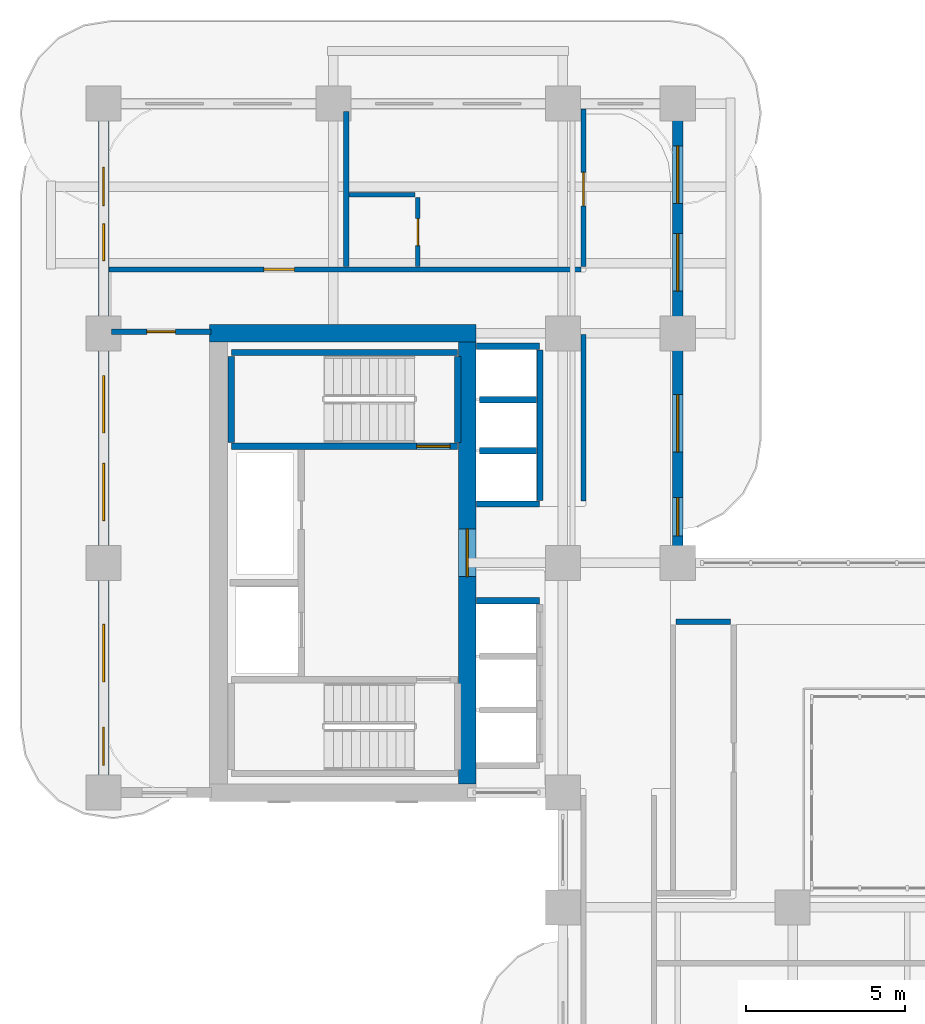
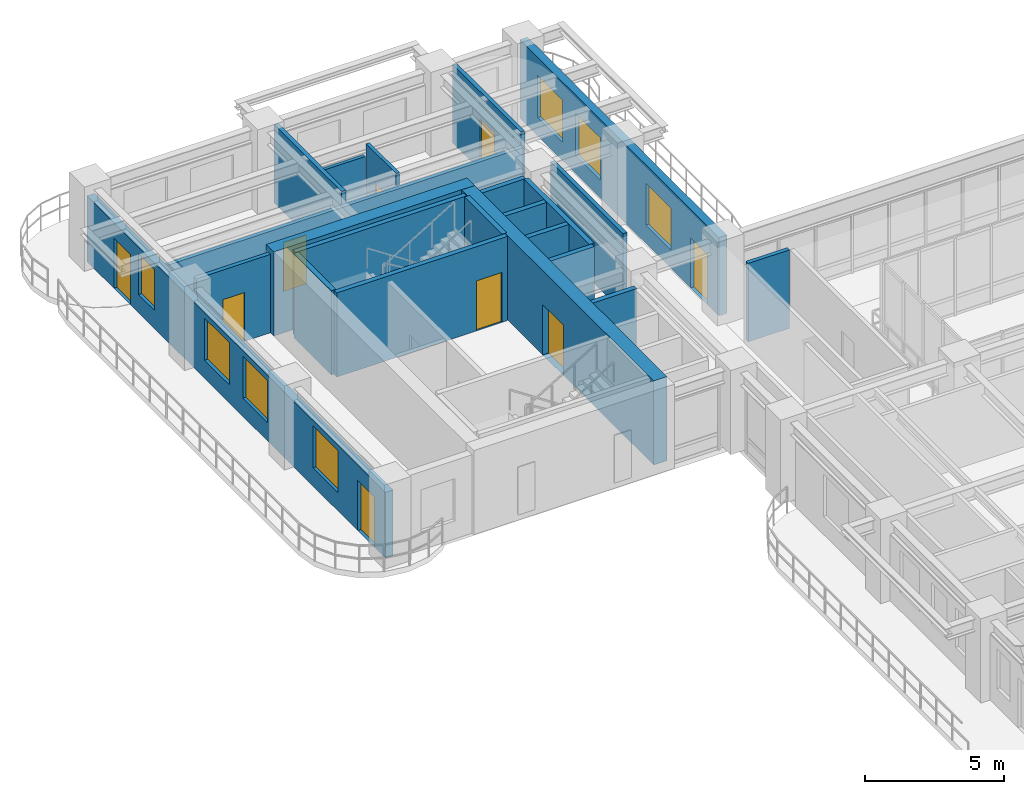
# One storey, part 16 of 22: 22 walls, 9 doors, 7 windows, 16 openings.
"""IFC4 building model written with IfcOpenShell, lengths in metres."""

from ifc_helpers import new_model, si_unit, derived_unit, direction, frame, frame_2d, origin, place, context, subcontext, project, spatial, rectangle, extrude, source, transform, mapped, material, layer, layer_set, type_object, type_shapes, element, fill, save


model = new_model("IFC4")

# Units and contexts
model_context = context("Model", 3, precision=1e-05, world=origin(), true_north=direction((0.0, 1.0)))
body_context = subcontext(model_context, "Body", "Model", "MODEL_VIEW")
ifc_project = project(units=[si_unit("LENGTHUNIT", "METRE"), si_unit("AREAUNIT", "SQUARE_METRE"), si_unit("VOLUMEUNIT", "CUBIC_METRE"), si_unit("PLANEANGLEUNIT", "RADIAN"), si_unit("MASSUNIT", "GRAM", prefix="KILO"), si_unit("THERMODYNAMICTEMPERATUREUNIT", "KELVIN"), si_unit("POWERUNIT", "WATT"), derived_unit("THERMALTRANSMITTANCEUNIT", [(si_unit("POWERUNIT", "WATT"), 1), (si_unit("AREAUNIT", "SQUARE_METRE"), -1), (si_unit("THERMODYNAMICTEMPERATUREUNIT", "KELVIN"), -1)])], contexts=[model_context])

# Site, building, storey
site_placement = place(None, origin())
site = spatial("IfcSite", under=ifc_project, at=site_placement, CompositionType="ELEMENT")
building_placement = place(site_placement, origin())
building = spatial("IfcBuilding", under=site, at=building_placement, Name="Zahravan Archway Hotel and Residences", CompositionType="ELEMENT")
storey_placement = place(building_placement, frame((0.0, 0.0, 76.800048828125)))
storey = spatial("IfcBuildingStorey", under=building, at=storey_placement, Name="L18", CompositionType="ELEMENT", Elevation=76.800048828125)

# Wall
ifc_material_1 = material(Name="Concrete C70/85", Category="concrete")
ifc_layer_1 = layer(ifc_material_1, 0.550048828125, Name="Concrete C70/85", Category="concrete")
ifc_layer_set_1 = layer_set([ifc_layer_1], Name="Concrete C70/85")
wall_type_1 = type_object("IfcWallType", Name="CW-CORE-550", PredefinedType="SHEAR", material=ifc_layer_set_1)
wall_1_placement = place(storey_placement, frame((3.324951171875, 39.60009765625, 0.0), z_axis=(0.0, 0.0, 1.0), x_axis=(1.0, 0.0, 0.0)))
element("IfcWall", 1, at=wall_1_placement, inside=storey, type_object=wall_type_1, Name="L18 Core B Shear N Wall 550 mm", PredefinedType="SHEAR", context=body_context, shape_type="SweptSolid", body=[
    extrude(rectangle(XDim=8.35009765625, YDim=0.550048828125, at=frame_2d((4.175048828125, 0.0))), origin(), (0.0, 0.0, 1.0), 3.699951171875),
])

# Wall, opening, door
wall_2_placement = place(storey_placement, frame((11.39990234375, 25.47509765625, 0.0), z_axis=(0.0, 0.0, 1.0), x_axis=(0.0, 1.0, 0.0)))
wall_2 = element("IfcWall", 2, at=wall_2_placement, inside=storey, type_object=wall_type_1, Name="L18 Core B Shear E Wall 550 mm", PredefinedType="SHEAR", context=body_context, shape_type="SweptSolid", body=[
    extrude(rectangle(XDim=13.849853515625, YDim=0.550048828125, at=frame_2d((6.9248046875, 0.0))), origin(), (0.0, 0.0, 1.0), 3.699951171875),
])
opening_1_placement = place(wall_2_placement, frame((6.4951171875, 0.0, 0.0)))
opening_1 = element("IfcOpeningElement", 3, at=opening_1_placement, cuts=wall_2, Name="Opening FD-L1", PredefinedType="OPENING", context=body_context, shape_type="SweptSolid", body=[
    extrude(rectangle(XDim=1.5, YDim=2.199951171875, at=frame_2d((0.75, 1.10009765625))), frame((0.0, 0.28515625, 0.0), z_axis=(0.0, -1.0, 0.0), x_axis=(1.0, 0.0, 0.0)), (0.0, 0.0, 1.0), 0.570068359375),
])
ifc_material_2 = material(Name="Fire-Rated Painted Steel", Category="steel")
door_type_1 = type_object("IfcDoorType", Name="FD-LOBBY-1500", OperationType="DOUBLE_DOOR_SINGLE_SWING", PredefinedType="DOOR", material=ifc_material_2)
shared_shape_1 = source(origin(), body_context, "Body", "SweptSolid", [
    extrude(rectangle(XDim=1.5, YDim=2.199951171875, at=frame_2d((0.75, 1.10009765625))), frame((0.0, 0.02490234375, 0.0), z_axis=(0.0, -1.0, 0.0), x_axis=(1.0, 0.0, 0.0)), (0.0, 0.0, 1.0), 0.050048828125),
])
type_shapes(door_type_1, [shared_shape_1])
door_1_placement = place(opening_1_placement, origin())
door_1 = element("IfcDoor", 4, at=door_1_placement, inside=storey, type_object=door_type_1, Name="L18 Core B FSAE Lobby Door", OperationType="DOUBLE_DOOR_SINGLE_SWING", OverallHeight=2.199951171875, OverallWidth=1.5, PredefinedType="DOOR", context=body_context, shape_type="MappedRepresentation", body=[
    mapped(shared_shape_1, transform((0.0, 0.0, 0.0), scale=1.0)),
])
fill(opening_1, door_1)

# Wall, openings, doors, windows
ifc_material_3 = material(Name="Agra Buff Sandstone & Insulated Backup", Category="masonry")
ifc_layer_2 = layer(ifc_material_3, 0.320068359375, Name="Agra Buff Sandstone & Insulated Backup", Category="masonry")
ifc_layer_set_2 = layer_set([ifc_layer_2], Name="Agra Buff Sandstone & Insulated Backup")
wall_type_2 = type_object("IfcWallType", Name="EW-SAND-320", PredefinedType="SOLIDWALL", material=ifc_layer_set_2)
wall_3_placement = place(storey_placement, frame((0.0, 25.25, 0.0), z_axis=(0.0, 0.0, 1.0), x_axis=(0.0, 1.0, 0.0)))
wall_3 = element("IfcWall", 5, at=wall_3_placement, inside=storey, type_object=wall_type_2, Name="L18 Exterior Sandstone Wall WB-W", PredefinedType="SOLIDWALL", context=body_context, shape_type="SweptSolid", body=[
    extrude(rectangle(XDim=21.5, YDim=0.320068359375, at=frame_2d((10.75, 0.0))), origin(), (0.0, 0.0, 1.0), 2.885009765625),
])
opening_2_placement = place(wall_3_placement, frame((18.35693359375, 0.0, 0.0)))
opening_2 = element("IfcOpeningElement", 6, at=opening_2_placement, cuts=wall_3, Name="Opening ED-BL1", PredefinedType="OPENING", context=body_context, shape_type="SweptSolid", body=[
    extrude(rectangle(XDim=1.199951171875, YDim=2.199951171875, at=frame_2d((0.60009765625, 1.10009765625))), frame((0.0, 0.169921875, 0.0), z_axis=(0.0, -1.0, 0.0), x_axis=(1.0, 0.0, 0.0)), (0.0, 0.0, 1.0), 0.340087890625),
])
opening_3_placement = place(wall_3_placement, frame((0.800048828125, 0.0, 0.0)))
opening_3 = element("IfcOpeningElement", 7, at=opening_3_placement, cuts=wall_3, Name="Opening ED-BL1", PredefinedType="OPENING", context=body_context, shape_type="SweptSolid", body=[
    extrude(rectangle(XDim=1.199951171875, YDim=2.199951171875, at=frame_2d((0.60009765625, 1.10009765625))), frame((0.0, 0.169921875, 0.0), z_axis=(0.0, -1.0, 0.0), x_axis=(1.0, 0.0, 0.0)), (0.0, 0.0, 1.0), 0.340087890625),
])
opening_4_placement = place(wall_3_placement, frame((3.425048828125, 0.0, 0.800048828125)))
opening_4 = element("IfcOpeningElement", 8, at=opening_4_placement, cuts=wall_3, Name="Opening W-02", PredefinedType="OPENING", context=body_context, shape_type="SweptSolid", body=[
    extrude(rectangle(XDim=1.800048828125, YDim=1.85009765625, at=frame_2d((0.89990234375, 0.925048828125))), frame((0.0, 0.169921875, 0.0), z_axis=(0.0, -1.0, 0.0), x_axis=(1.0, 0.0, 0.0)), (0.0, 0.0, 1.0), 0.340087890625),
])
opening_5_placement = place(wall_3_placement, frame((8.47509765625, 0.0, 0.800048828125)))
opening_5 = element("IfcOpeningElement", 9, at=opening_5_placement, cuts=wall_3, Name="Opening W-02", PredefinedType="OPENING", context=body_context, shape_type="SweptSolid", body=[
    extrude(rectangle(XDim=1.800048828125, YDim=1.85009765625, at=frame_2d((0.89990234375, 0.925048828125))), frame((0.0, 0.169921875, 0.0), z_axis=(0.0, -1.0, 0.0), x_axis=(1.0, 0.0, 0.0)), (0.0, 0.0, 1.0), 0.340087890625),
])
opening_6_placement = place(wall_3_placement, frame((11.22509765625, 0.0, 0.800048828125)))
opening_6 = element("IfcOpeningElement", 10, at=opening_6_placement, cuts=wall_3, Name="Opening W-02", PredefinedType="OPENING", context=body_context, shape_type="SweptSolid", body=[
    extrude(rectangle(XDim=1.800048828125, YDim=1.85009765625, at=frame_2d((0.89990234375, 0.925048828125))), frame((0.0, 0.169921875, 0.0), z_axis=(0.0, -1.0, 0.0), x_axis=(1.0, 0.0, 0.0)), (0.0, 0.0, 1.0), 0.340087890625),
])
opening_7_placement = place(wall_3_placement, frame((16.632080078125, 0.0, 0.800048828125)))
opening_7 = element("IfcOpeningElement", 11, at=opening_7_placement, cuts=wall_3, Name="Opening W-05", PredefinedType="OPENING", context=body_context, shape_type="SweptSolid", body=[
    extrude(rectangle(XDim=1.14990234375, YDim=1.800048828125, at=frame_2d((0.574951171875, 0.89990234375))), frame((0.0, 0.169921875, 0.0), z_axis=(0.0, -1.0, 0.0), x_axis=(1.0, 0.0, 0.0)), (0.0, 0.0, 1.0), 0.340087890625),
])
ifc_material_4 = material(Name="Bronze-Anodized Glazed Aluminium", Category="aluminium")
door_type_2 = type_object("IfcDoorType", Name="ED-BALC-1200", OperationType="SLIDING_TO_LEFT", PredefinedType="DOOR", material=ifc_material_4)
shared_shape_2 = source(origin(), body_context, "Body", "SweptSolid", [
    extrude(rectangle(XDim=1.199951171875, YDim=2.199951171875, at=frame_2d((0.60009765625, 1.10009765625))), frame((0.0, 0.02490234375, 0.0), z_axis=(0.0, -1.0, 0.0), x_axis=(1.0, 0.0, 0.0)), (0.0, 0.0, 1.0), 0.050048828125),
])
type_shapes(door_type_2, [shared_shape_2])
door_2_placement = place(opening_2_placement, origin())
door_2 = element("IfcDoor", 12, at=door_2_placement, inside=storey, type_object=door_type_2, Name="L18 Outdoor Access Sliding Door (SLB-BAL-L18-NB)", OperationType="SLIDING_TO_LEFT", OverallHeight=2.199951171875, OverallWidth=1.199951171875, PredefinedType="DOOR", context=body_context, shape_type="MappedRepresentation", body=[
    mapped(shared_shape_2, transform((0.0, 0.0, 0.0), scale=1.0)),
])
fill(opening_2, door_2)
door_3_placement = place(opening_3_placement, origin())
door_3 = element("IfcDoor", 13, at=door_3_placement, inside=storey, type_object=door_type_2, Name="L18 Outdoor Access Sliding Door (SLB-BAL-L18-WB)", OperationType="SLIDING_TO_LEFT", OverallHeight=2.199951171875, OverallWidth=1.199951171875, PredefinedType="DOOR", context=body_context, shape_type="MappedRepresentation", body=[
    mapped(shared_shape_2, transform((0.0, 0.0, 0.0), scale=1.0)),
])
fill(opening_3, door_3)
ifc_material_5 = material(Name="Bronze-Anodized Thermal-Break Aluminium & Low-E Glass", Category="aluminium")
window_type_1 = type_object("IfcWindowType", Name="WIN-TWR-1800", PartitioningType="DOUBLE_PANEL_VERTICAL", PredefinedType="WINDOW", material=ifc_material_5)
shared_shape_3 = source(origin(), body_context, "Body", "SweptSolid", [
    extrude(rectangle(XDim=1.800048828125, YDim=1.85009765625, at=frame_2d((0.89990234375, 0.925048828125))), frame((0.0, 0.030029296875, 0.0), z_axis=(0.0, -1.0, 0.0), x_axis=(1.0, 0.0, 0.0)), (0.0, 0.0, 1.0), 0.06005859375),
])
type_shapes(window_type_1, [shared_shape_3])
window_1_placement = place(opening_4_placement, origin())
window_1 = element("IfcWindow", 14, at=window_1_placement, inside=storey, type_object=window_type_1, Name="L18 Loggia Window 30", OverallHeight=1.85009765625, OverallWidth=1.800048828125, PartitioningType="DOUBLE_PANEL_VERTICAL", PredefinedType="WINDOW", context=body_context, shape_type="MappedRepresentation", body=[
    mapped(shared_shape_3, transform((0.0, 0.0, 0.0), scale=1.0)),
])
fill(opening_4, window_1)
window_2_placement = place(opening_5_placement, origin())
window_2 = element("IfcWindow", 15, at=window_2_placement, inside=storey, type_object=window_type_1, Name="L18 Loggia Window 31", OverallHeight=1.85009765625, OverallWidth=1.800048828125, PartitioningType="DOUBLE_PANEL_VERTICAL", PredefinedType="WINDOW", context=body_context, shape_type="MappedRepresentation", body=[
    mapped(shared_shape_3, transform((0.0, 0.0, 0.0), scale=1.0)),
])
fill(opening_5, window_2)
window_3_placement = place(opening_6_placement, origin())
window_3 = element("IfcWindow", 16, at=window_3_placement, inside=storey, type_object=window_type_1, Name="L18 Loggia Window 32", OverallHeight=1.85009765625, OverallWidth=1.800048828125, PartitioningType="DOUBLE_PANEL_VERTICAL", PredefinedType="WINDOW", context=body_context, shape_type="MappedRepresentation", body=[
    mapped(shared_shape_3, transform((0.0, 0.0, 0.0), scale=1.0)),
])
fill(opening_6, window_3)
window_type_2 = type_object("IfcWindowType", Name="WIN-TWR-1150", PartitioningType="SINGLE_PANEL", PredefinedType="WINDOW", material=ifc_material_5)
shared_shape_4 = source(origin(), body_context, "Body", "SweptSolid", [
    extrude(rectangle(XDim=1.14990234375, YDim=1.800048828125, at=frame_2d((0.574951171875, 0.89990234375))), frame((0.0, 0.030029296875, 0.0), z_axis=(0.0, -1.0, 0.0), x_axis=(1.0, 0.0, 0.0)), (0.0, 0.0, 1.0), 0.06005859375),
])
type_shapes(window_type_2, [shared_shape_4])
window_4_placement = place(opening_7_placement, origin())
window_4 = element("IfcWindow", 17, at=window_4_placement, inside=storey, type_object=window_type_2, Name="L18 Loggia Window 33", OverallHeight=1.800048828125, OverallWidth=1.14990234375, PartitioningType="SINGLE_PANEL", PredefinedType="WINDOW", context=body_context, shape_type="MappedRepresentation", body=[
    mapped(shared_shape_4, transform((0.0, 0.0, 0.0), scale=1.0)),
])
fill(opening_7, window_4)

# Wall, openings, door, windows
wall_4_placement = place(storey_placement, frame((18.0, 32.39990234375, 0.0), z_axis=(0.0, 0.0, 1.0), x_axis=(0.0, 1.0, 0.0)))
wall_4 = element("IfcWall", 18, at=wall_4_placement, inside=storey, type_object=wall_type_2, Name="L18 Exterior Sandstone Wall WB-EU", PredefinedType="SOLIDWALL", context=body_context, shape_type="SweptSolid", body=[
    extrude(rectangle(XDim=14.35009765625, YDim=0.320068359375, at=frame_2d((7.175048828125, 0.0))), origin(), (0.0, 0.0, 1.0), 3.449951171875),
])
opening_8_placement = place(wall_4_placement, frame((0.85009765625, 0.0, 0.0)))
opening_8 = element("IfcOpeningElement", 19, at=opening_8_placement, cuts=wall_4, Name="Opening ED-BL1", PredefinedType="OPENING", context=body_context, shape_type="SweptSolid", body=[
    extrude(rectangle(XDim=1.199951171875, YDim=2.199951171875, at=frame_2d((0.60009765625, 1.10009765625))), frame((0.0, 0.169921875, 0.0), z_axis=(0.0, -1.0, 0.0), x_axis=(1.0, 0.0, 0.0)), (0.0, 0.0, 1.0), 0.340087890625),
])
opening_9_placement = place(wall_4_placement, frame((3.47509765625, 0.0, 0.800048828125)))
opening_9 = element("IfcOpeningElement", 20, at=opening_9_placement, cuts=wall_4, Name="Opening W-02", PredefinedType="OPENING", context=body_context, shape_type="SweptSolid", body=[
    extrude(rectangle(XDim=1.800048828125, YDim=1.85009765625, at=frame_2d((0.89990234375, 0.925048828125))), frame((0.0, 0.169921875, 0.0), z_axis=(0.0, -1.0, 0.0), x_axis=(1.0, 0.0, 0.0)), (0.0, 0.0, 1.0), 0.340087890625),
])
opening_10_placement = place(wall_4_placement, frame((8.52490234375, 0.0, 0.800048828125)))
opening_10 = element("IfcOpeningElement", 21, at=opening_10_placement, cuts=wall_4, Name="Opening W-02", PredefinedType="OPENING", context=body_context, shape_type="SweptSolid", body=[
    extrude(rectangle(XDim=1.800048828125, YDim=1.85009765625, at=frame_2d((0.89990234375, 0.925048828125))), frame((0.0, 0.169921875, 0.0), z_axis=(0.0, -1.0, 0.0), x_axis=(1.0, 0.0, 0.0)), (0.0, 0.0, 1.0), 0.340087890625),
])
opening_11_placement = place(wall_4_placement, frame((11.27490234375, 0.0, 0.800048828125)))
opening_11 = element("IfcOpeningElement", 22, at=opening_11_placement, cuts=wall_4, Name="Opening W-02", PredefinedType="OPENING", context=body_context, shape_type="SweptSolid", body=[
    extrude(rectangle(XDim=1.800048828125, YDim=1.85009765625, at=frame_2d((0.89990234375, 0.925048828125))), frame((0.0, 0.169921875, 0.0), z_axis=(0.0, -1.0, 0.0), x_axis=(1.0, 0.0, 0.0)), (0.0, 0.0, 1.0), 0.340087890625),
])
door_4_placement = place(opening_8_placement, origin())
door_4 = element("IfcDoor", 23, at=door_4_placement, inside=storey, type_object=door_type_2, Name="L18 Outdoor Access Sliding Door (SLB-BAL-L18-EB)", OperationType="SLIDING_TO_LEFT", OverallHeight=2.199951171875, OverallWidth=1.199951171875, PredefinedType="DOOR", context=body_context, shape_type="MappedRepresentation", body=[
    mapped(shared_shape_2, transform((0.0, 0.0, 0.0), scale=1.0)),
])
fill(opening_8, door_4)
window_5_placement = place(opening_9_placement, origin())
window_5 = element("IfcWindow", 24, at=window_5_placement, inside=storey, type_object=window_type_1, Name="L18 Loggia Window 39", OverallHeight=1.85009765625, OverallWidth=1.800048828125, PartitioningType="DOUBLE_PANEL_VERTICAL", PredefinedType="WINDOW", context=body_context, shape_type="MappedRepresentation", body=[
    mapped(shared_shape_3, transform((0.0, 0.0, 0.0), scale=1.0)),
])
fill(opening_9, window_5)
window_6_placement = place(opening_10_placement, origin())
window_6 = element("IfcWindow", 25, at=window_6_placement, inside=storey, type_object=window_type_1, Name="L18 Loggia Window 40", OverallHeight=1.85009765625, OverallWidth=1.800048828125, PartitioningType="DOUBLE_PANEL_VERTICAL", PredefinedType="WINDOW", context=body_context, shape_type="MappedRepresentation", body=[
    mapped(shared_shape_3, transform((0.0, 0.0, 0.0), scale=1.0)),
])
fill(opening_10, window_6)
window_7_placement = place(opening_11_placement, origin())
window_7 = element("IfcWindow", 26, at=window_7_placement, inside=storey, type_object=window_type_1, Name="L18 Loggia Window 41", OverallHeight=1.85009765625, OverallWidth=1.800048828125, PartitioningType="DOUBLE_PANEL_VERTICAL", PredefinedType="WINDOW", context=body_context, shape_type="MappedRepresentation", body=[
    mapped(shared_shape_3, transform((0.0, 0.0, 0.0), scale=1.0)),
])
fill(opening_11, window_7)

# Wall
ifc_material_6 = material(Name="Fire-Rated Gypsum & Concrete Block", Category="concrete")
ifc_layer_3 = layer(ifc_material_6, 0.159912109375, Name="Fire-Rated Gypsum & Concrete Block", Category="concrete")
ifc_layer_set_3 = layer_set([ifc_layer_3], Name="Fire-Rated Gypsum & Concrete Block")
wall_type_3 = type_object("IfcWallType", Name="PW-CORR-160", PredefinedType="PARTITIONING", material=ifc_layer_set_3)
wall_5_placement = place(storey_placement, frame((15.050048828125, 34.340087890625, 0.0), z_axis=(0.0, 0.0, 1.0), x_axis=(0.0, 1.0, 0.0)))
element("IfcWall", 27, at=wall_5_placement, inside=storey, type_object=wall_type_3, Name="L18 Partition WBN-CL", PredefinedType="PARTITIONING", context=body_context, shape_type="SweptSolid", body=[
    extrude(rectangle(XDim=5.219970703125, YDim=0.159912109375, at=frame_2d((2.60986328125, 0.0))), origin(), (0.0, 0.0, 1.0), 3.449951171875),
])

# Wall, opening, door
wall_6_placement = place(storey_placement, frame((15.050048828125, 41.68994140625, 0.0), z_axis=(0.0, 0.0, 1.0), x_axis=(0.0, 1.0, 0.0)))
wall_6 = element("IfcWall", 28, at=wall_6_placement, inside=storey, type_object=wall_type_3, Name="L18 Partition WBN-CU", PredefinedType="PARTITIONING", context=body_context, shape_type="SweptSolid", body=[
    extrude(rectangle(XDim=4.942138671875, YDim=0.159912109375, at=frame_2d((2.47119140625, 0.0))), origin(), (0.0, 0.0, 1.0), 3.449951171875),
])
opening_12_placement = place(wall_6_placement, frame((1.909912109375, 0.0, 0.0)))
opening_12 = element("IfcOpeningElement", 29, at=opening_12_placement, cuts=wall_6, Name="Opening D-U1", PredefinedType="OPENING", context=body_context, shape_type="SweptSolid", body=[
    extrude(rectangle(XDim=1.050048828125, YDim=2.25, at=frame_2d((0.52490234375, 1.125))), frame((0.0, 0.08984375, 0.0), z_axis=(0.0, -1.0, 0.0), x_axis=(1.0, 0.0, 0.0)), (0.0, 0.0, 1.0), 0.179931640625),
])
ifc_material_7 = material(Name="Hardwood Veneer Timber", Category="wood")
door_type_3 = type_object("IfcDoorType", Name="ID-UNIT-1050", OperationType="NOTDEFINED", PredefinedType="DOOR", material=ifc_material_7)
shared_shape_5 = source(origin(), body_context, "Body", "SweptSolid", [
    extrude(rectangle(XDim=1.050048828125, YDim=2.25, at=frame_2d((0.52490234375, 1.125))), frame((0.0, 0.02490234375, 0.0), z_axis=(0.0, -1.0, 0.0), x_axis=(1.0, 0.0, 0.0)), (0.0, 0.0, 1.0), 0.050048828125),
])
type_shapes(door_type_3, [shared_shape_5])
door_5_placement = place(opening_12_placement, origin())
door_5 = element("IfcDoor", 30, at=door_5_placement, inside=storey, type_object=door_type_3, Name="L18 Hotel Guestroom 78 Entrance Door", OperationType="SINGLE_SWING_LEFT", OverallHeight=2.25, OverallWidth=1.050048828125, PredefinedType="DOOR", context=body_context, shape_type="MappedRepresentation", body=[
    mapped(shared_shape_5, transform((0.0, 0.0, 0.0), scale=1.0)),
])
fill(opening_12, door_5)

wall_7_placement = place(storey_placement, frame((0.16796875, 41.60009765625, 0.0), z_axis=(0.0, 0.0, 1.0), x_axis=(1.0, 0.0, 0.0)))
wall_7 = element("IfcWall", 31, at=wall_7_placement, inside=storey, type_object=wall_type_3, Name="L18 Partition WBN-S2", PredefinedType="PARTITIONING", context=body_context, shape_type="SweptSolid", body=[
    extrude(rectangle(XDim=14.7919921875, YDim=0.159912109375, at=frame_2d((7.39599609375, 0.0))), origin(), (0.0, 0.0, 1.0), 2.885009765625),
])
opening_13_placement = place(wall_7_placement, frame((4.85693359375, 0.0, 0.0)))
opening_13 = element("IfcOpeningElement", 32, at=opening_13_placement, cuts=wall_7, Name="Opening D-I1", PredefinedType="OPENING", context=body_context, shape_type="SweptSolid", body=[
    extrude(rectangle(XDim=0.949951171875, YDim=2.14990234375, at=frame_2d((0.47509765625, 1.074951171875))), frame((0.0, 0.08984375, 0.0), z_axis=(0.0, -1.0, 0.0), x_axis=(1.0, 0.0, 0.0)), (0.0, 0.0, 1.0), 0.179931640625),
])
door_type_4 = type_object("IfcDoorType", Name="ID-INT-950", OperationType="NOTDEFINED", PredefinedType="DOOR", material=ifc_material_7)
shared_shape_6 = source(origin(), body_context, "Body", "SweptSolid", [
    extrude(rectangle(XDim=0.949951171875, YDim=2.14990234375, at=frame_2d((0.47509765625, 1.074951171875))), frame((0.0, 0.02490234375, 0.0), z_axis=(0.0, -1.0, 0.0), x_axis=(1.0, 0.0, 0.0)), (0.0, 0.0, 1.0), 0.050048828125),
])
type_shapes(door_type_4, [shared_shape_6])
door_6_placement = place(opening_13_placement, origin())
door_6 = element("IfcDoor", 33, at=door_6_placement, inside=storey, type_object=door_type_4, Name="L18 North West Study Door", OperationType="SINGLE_SWING_LEFT", OverallHeight=2.14990234375, OverallWidth=0.949951171875, PredefinedType="DOOR", context=body_context, shape_type="MappedRepresentation", body=[
    mapped(shared_shape_6, transform((0.0, 0.0, 0.0), scale=1.0)),
])
fill(opening_13, door_6)

# Walls
ifc_layer_4 = layer(ifc_material_6, 0.199951171875, Name="Fire-Rated Gypsum & Concrete Block", Category="concrete")
ifc_layer_set_4 = layer_set([ifc_layer_4], Name="Fire-Rated Gypsum & Concrete Block")
wall_type_4 = type_object("IfcWallType", Name="PW-SHAFT-200", PredefinedType="PARTITIONING", material=ifc_layer_set_4)
for number, where, z_axis, x_axis, name in (
    (34, (11.68505859375, 31.2099609375, 0.0), (0.0, 0.0, 1.0), (1.0, 0.0, 0.0), "L18 Partition B1-N"),
    (35, (11.68505859375, 34.25, 0.0), (0.0, 0.0, 1.0), (1.0, 0.0, 0.0), "L18 Partition B2-S"),
    (36, (11.68505859375, 39.18994140625, 0.0), (0.0, 0.0, 1.0), (1.0, 0.0, 0.0), "L18 Partition B2-N"),
):
    element("IfcWall", number, at=place(storey_placement, frame(where, z_axis=z_axis, x_axis=x_axis)), inside=storey, type_object=wall_type_4, Name=name, PredefinedType="PARTITIONING", context=body_context, shape_type="SweptSolid", body=[
        extrude(rectangle(XDim=1.98486328125, YDim=0.199951171875, at=frame_2d((0.992431640625, 0.0))), origin(), (0.0, 0.0, 1.0), 3.449951171875),
    ])
wall_8_placement = place(storey_placement, frame((13.679931640625, 34.360107421875, 0.0), z_axis=(0.0, 0.0, 1.0), x_axis=(0.0, 1.0, 0.0)))
element("IfcWall", 37, at=wall_8_placement, inside=storey, type_object=wall_type_4, Name="L18 Partition B2-E", PredefinedType="PARTITIONING", context=body_context, shape_type="SweptSolid", body=[
    extrude(rectangle(XDim=4.719970703125, YDim=0.199951171875, at=frame_2d((2.35986328125, 0.0))), origin(), (0.0, 0.0, 1.0), 3.449951171875),
])
for number, where, z_axis, x_axis, name in (
    (38, (11.784912109375, 35.919921875, 0.0), (0.0, 0.0, 1.0), (1.0, 0.0, 0.0), "L18 Partition B2-D"),
    (39, (11.784912109375, 37.52001953125, 0.0), (0.0, 0.0, 1.0), (1.0, 0.0, 0.0), "L18 Partition B2-D"),
):
    element("IfcWall", number, at=place(storey_placement, frame(where, z_axis=z_axis, x_axis=x_axis)), inside=storey, type_object=wall_type_4, Name=name, PredefinedType="PARTITIONING", context=body_context, shape_type="SweptSolid", body=[
        extrude(rectangle(XDim=1.78515625, YDim=0.199951171875, at=frame_2d((0.892578125, 0.0))), origin(), (0.0, 0.0, 1.0), 3.449951171875),
    ])

# Wall, opening, door
ifc_material_8 = material(Name="Acoustic Stud Partition")
ifc_layer_5 = layer(ifc_material_8, 0.169921875, Name="Acoustic Stud Partition")
ifc_layer_set_5 = layer_set([ifc_layer_5], Name="Acoustic Stud Partition")
wall_type_5 = type_object("IfcWallType", Name="PW-UNIT-170", PredefinedType="PARTITIONING", material=ifc_layer_set_5)
wall_9_placement = place(storey_placement, frame((0.239990234375, 39.64990234375, 0.0), z_axis=(0.0, 0.0, 1.0), x_axis=(1.0, 0.0, 0.0)))
wall_9 = element("IfcWall", 40, at=wall_9_placement, inside=storey, type_object=wall_type_5, Name="L18 Partition WBW-N", PredefinedType="PARTITIONING", context=body_context, shape_type="SweptSolid", body=[
    extrude(rectangle(XDim=3.1201171875, YDim=0.169921875, at=frame_2d((1.56005859375, 0.0))), origin(), (0.0, 0.0, 1.0), 3.449951171875),
])
opening_14_placement = place(wall_9_placement, frame((1.110107421875, 0.0, 0.0)))
opening_14 = element("IfcOpeningElement", 41, at=opening_14_placement, cuts=wall_9, Name="Opening D-I2", PredefinedType="OPENING", context=body_context, shape_type="SweptSolid", body=[
    extrude(rectangle(XDim=0.89990234375, YDim=2.14990234375, at=frame_2d((0.449951171875, 1.074951171875))), frame((0.0, 0.094970703125, 0.0), z_axis=(0.0, -1.0, 0.0), x_axis=(1.0, 0.0, 0.0)), (0.0, 0.0, 1.0), 0.18994140625),
])
door_type_5 = type_object("IfcDoorType", Name="ID-INT-900", OperationType="NOTDEFINED", PredefinedType="DOOR", material=ifc_material_7)
shared_shape_7 = source(origin(), body_context, "Body", "SweptSolid", [
    extrude(rectangle(XDim=0.89990234375, YDim=2.14990234375, at=frame_2d((0.449951171875, 1.074951171875))), frame((0.0, 0.02490234375, 0.0), z_axis=(0.0, -1.0, 0.0), x_axis=(1.0, 0.0, 0.0)), (0.0, 0.0, 1.0), 0.050048828125),
])
type_shapes(door_type_5, [shared_shape_7])
door_7_placement = place(opening_14_placement, origin())
door_7 = element("IfcDoor", 42, at=door_7_placement, inside=storey, type_object=door_type_5, Name="L18 West Loggia Salon Door", OperationType="SINGLE_SWING_RIGHT", OverallHeight=2.14990234375, OverallWidth=0.89990234375, PredefinedType="DOOR", context=body_context, shape_type="MappedRepresentation", body=[
    mapped(shared_shape_7, transform((0.0, 0.0, 0.0), scale=1.0)),
])
fill(opening_14, door_7)

# Walls
wall_10_placement = place(storey_placement, frame((7.60009765625, 41.68994140625, 0.0), z_axis=(0.0, 0.0, 1.0), x_axis=(0.0, 1.0, 0.0)))
element("IfcWall", 43, at=wall_10_placement, inside=storey, type_object=wall_type_5, Name="L18 Partition WBN-V2", PredefinedType="PARTITIONING", context=body_context, shape_type="SweptSolid", body=[
    extrude(rectangle(XDim=4.8701171875, YDim=0.169921875, at=frame_2d((2.43505859375, 0.0))), origin(), (0.0, 0.0, 1.0), 3.449951171875),
])
wall_11_placement = place(storey_placement, frame((17.93994140625, 30.550048828125, 0.0), z_axis=(0.0, 0.0, 1.0), x_axis=(1.0, 0.0, 0.0)))
element("IfcWall", 44, at=wall_11_placement, inside=storey, type_object=wall_type_5, Name="L18 Partition ATR-WLN", PredefinedType="PARTITIONING", context=body_context, shape_type="SweptSolid", body=[
    extrude(rectangle(XDim=1.719970703125, YDim=0.169921875, at=frame_2d((0.85986328125, 0.0))), origin(), (0.0, 0.0, 1.0), 3.449951171875),
])
ifc_material_9 = material(Name="Moisture-Resistant Blockwork", Category="masonry")
ifc_layer_6 = layer(ifc_material_9, 0.139892578125, Name="Moisture-Resistant Blockwork", Category="masonry")
ifc_layer_set_6 = layer_set([ifc_layer_6], Name="Moisture-Resistant Blockwork")
wall_type_6 = type_object("IfcWallType", Name="PW-WET-140", PredefinedType="PARTITIONING", material=ifc_layer_set_6)
wall_12_placement = place(storey_placement, frame((7.68994140625, 43.949951171875, 0.0), z_axis=(0.0, 0.0, 1.0), x_axis=(1.0, 0.0, 0.0)))
element("IfcWall", 45, at=wall_12_placement, inside=storey, type_object=wall_type_6, Name="L18 Partition HKB-H78", PredefinedType="PARTITIONING", context=body_context, shape_type="SweptSolid", body=[
    extrude(rectangle(XDim=2.070068359375, YDim=0.139892578125, at=frame_2d((1.03515625, 0.0))), origin(), (0.0, 0.0, 1.0), 2.885009765625),
])

# Wall, opening, door
wall_13_placement = place(storey_placement, frame((9.85009765625, 41.68994140625, 0.0), z_axis=(0.0, 0.0, 1.0), x_axis=(0.0, 1.0, 0.0)))
wall_13 = element("IfcWall", 46, at=wall_13_placement, inside=storey, type_object=wall_type_6, Name="L18 Partition HKB-V78", PredefinedType="PARTITIONING", context=body_context, shape_type="SweptSolid", body=[
    extrude(rectangle(XDim=2.170166015625, YDim=0.139892578125, at=frame_2d((1.0849609375, 0.0))), origin(), (0.0, 0.0, 1.0), 3.449951171875),
])
opening_15_placement = place(wall_13_placement, frame((0.659912109375, 0.0, 0.0)))
opening_15 = element("IfcOpeningElement", 47, at=opening_15_placement, cuts=wall_13, Name="Opening D-B1", PredefinedType="OPENING", context=body_context, shape_type="SweptSolid", body=[
    extrude(rectangle(XDim=0.85009765625, YDim=2.10009765625, at=frame_2d((0.425048828125, 1.050048828125))), frame((0.0, 0.080078125, 0.0), z_axis=(0.0, -1.0, 0.0), x_axis=(1.0, 0.0, 0.0)), (0.0, 0.0, 1.0), 0.159912109375),
])
door_type_6 = type_object("IfcDoorType", Name="ID-BATH-850", OperationType="NOTDEFINED", PredefinedType="DOOR", material=ifc_material_7)
shared_shape_8 = source(origin(), body_context, "Body", "SweptSolid", [
    extrude(rectangle(XDim=0.85009765625, YDim=2.10009765625, at=frame_2d((0.425048828125, 1.050048828125))), frame((0.0, 0.02490234375, 0.0), z_axis=(0.0, -1.0, 0.0), x_axis=(1.0, 0.0, 0.0)), (0.0, 0.0, 1.0), 0.050048828125),
])
type_shapes(door_type_6, [shared_shape_8])
door_8_placement = place(opening_15_placement, origin())
door_8 = element("IfcDoor", 48, at=door_8_placement, inside=storey, type_object=door_type_6, Name="L18 Guestroom 78 En-Suite Door", OperationType="SINGLE_SWING_RIGHT", OverallHeight=2.10009765625, OverallWidth=0.85009765625, PredefinedType="DOOR", context=body_context, shape_type="MappedRepresentation", body=[
    mapped(shared_shape_8, transform((0.0, 0.0, 0.0), scale=1.0)),
])
fill(opening_15, door_8)

# Walls
ifc_material_10 = material(Name="Concrete C50/60", Category="concrete")
ifc_layer_7 = layer(ifc_material_10, 0.199951171875, Name="Concrete C50/60", Category="concrete")
ifc_layer_set_7 = layer_set([ifc_layer_7], Name="Concrete C50/60")
wall_type_7 = type_object("IfcWallType", Name="SW-STAIR-200", PredefinedType="SHEAR", material=ifc_layer_set_7)
wall_14_placement = place(storey_placement, frame((4.0, 39.0, 0.0), z_axis=(0.0, 0.0, 1.0), x_axis=(1.0, 0.0, 0.0)))
element("IfcWall", 49, at=wall_14_placement, inside=storey, type_object=wall_type_7, Name="L18 Stairwell RC Wall CB-SB2N", PredefinedType="SHEAR", context=body_context, shape_type="SweptSolid", body=[
    extrude(rectangle(XDim=7.10009765625, YDim=0.199951171875, at=frame_2d((3.550048828125, 0.0))), origin(), (0.0, 0.0, 1.0), 3.699951171875),
])
for number, where, z_axis, x_axis, name in (
    (50, (4.0, 36.179931640625, 0.0), (0.0, 0.0, 1.0), (0.0, 1.0, 0.0), "L18 Stairwell RC Wall CB-SB2W"),
    (51, (11.10009765625, 36.179931640625, 0.0), (0.0, 0.0, 1.0), (0.0, 1.0, 0.0), "L18 Stairwell RC Wall CB-SB2E"),
):
    element("IfcWall", number, at=place(storey_placement, frame(where, z_axis=z_axis, x_axis=x_axis)), inside=storey, type_object=wall_type_7, Name=name, PredefinedType="SHEAR", context=body_context, shape_type="SweptSolid", body=[
        extrude(rectangle(XDim=2.699951171875, YDim=0.199951171875, at=frame_2d((1.35009765625, 0.0))), origin(), (0.0, 0.0, 1.0), 3.699951171875),
    ])

# Wall, opening, door
wall_15_placement = place(storey_placement, frame((4.0, 36.06005859375, 0.0), z_axis=(0.0, 0.0, 1.0), x_axis=(1.0, 0.0, 0.0)))
wall_15 = element("IfcWall", 52, at=wall_15_placement, inside=storey, type_object=wall_type_7, Name="L18 Stairwell RC Wall CB-SB2S", PredefinedType="SHEAR", context=body_context, shape_type="SweptSolid", body=[
    extrude(rectangle(XDim=7.10009765625, YDim=0.199951171875, at=frame_2d((3.550048828125, 0.0))), origin(), (0.0, 0.0, 1.0), 3.699951171875),
])
opening_16_placement = place(wall_15_placement, frame((5.81494140625, 0.0, 0.0)))
opening_16 = element("IfcOpeningElement", 53, at=opening_16_placement, cuts=wall_15, Name="Opening FD-S1", PredefinedType="OPENING", context=body_context, shape_type="SweptSolid", body=[
    extrude(rectangle(XDim=1.050048828125, YDim=2.199951171875, at=frame_2d((0.52490234375, 1.10009765625))), frame((0.0, 0.10986328125, 0.0), z_axis=(0.0, -1.0, 0.0), x_axis=(1.0, 0.0, 0.0)), (0.0, 0.0, 1.0), 0.219970703125),
])
door_type_7 = type_object("IfcDoorType", Name="FD-STAIR-1100", OperationType="NOTDEFINED", PredefinedType="DOOR", material=ifc_material_2)
shared_shape_9 = source(origin(), body_context, "Body", "SweptSolid", [
    extrude(rectangle(XDim=1.050048828125, YDim=2.199951171875, at=frame_2d((0.52490234375, 1.10009765625))), frame((0.0, 0.02490234375, 0.0), z_axis=(0.0, -1.0, 0.0), x_axis=(1.0, 0.0, 0.0)), (0.0, 0.0, 1.0), 0.050048828125),
])
type_shapes(door_type_7, [shared_shape_9])
door_9_placement = place(opening_16_placement, origin())
door_9 = element("IfcDoor", 54, at=door_9_placement, inside=storey, type_object=door_type_7, Name="L18 Stair ST-B2 Door", OperationType="SINGLE_SWING_LEFT", OverallHeight=2.199951171875, OverallWidth=1.050048828125, PredefinedType="DOOR", context=body_context, shape_type="MappedRepresentation", body=[
    mapped(shared_shape_9, transform((0.0, 0.0, 0.0), scale=1.0)),
])
fill(opening_16, door_9)

save(model, "model.ifc")
